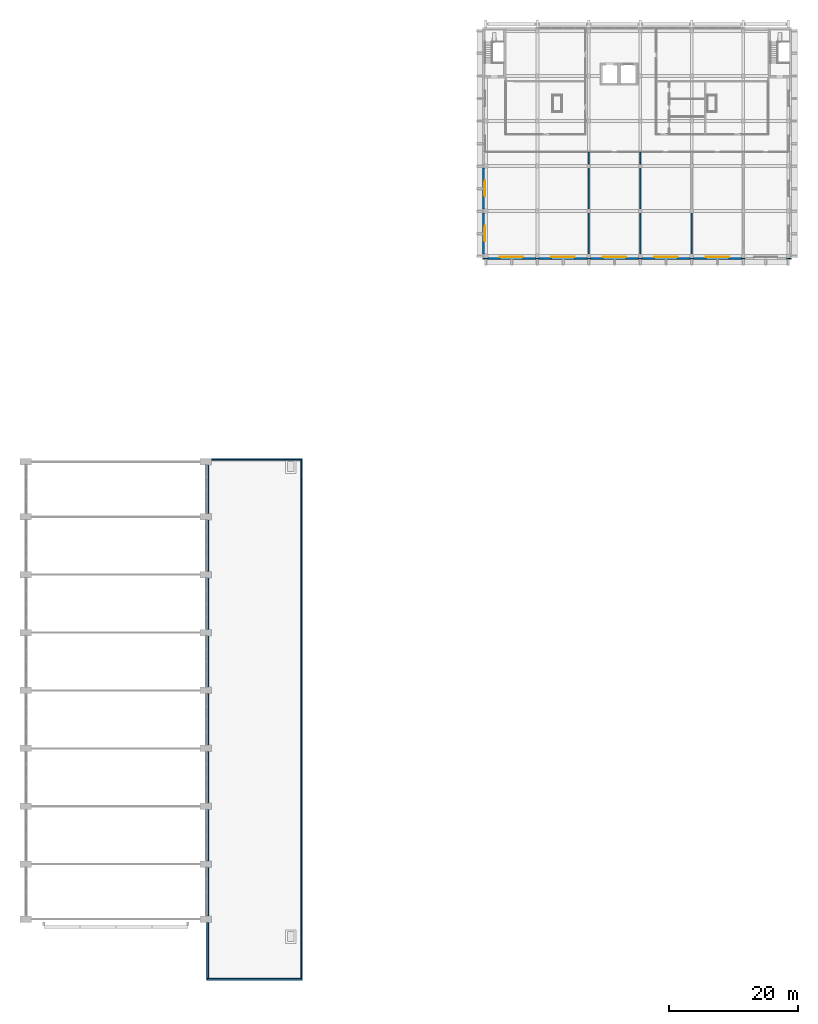
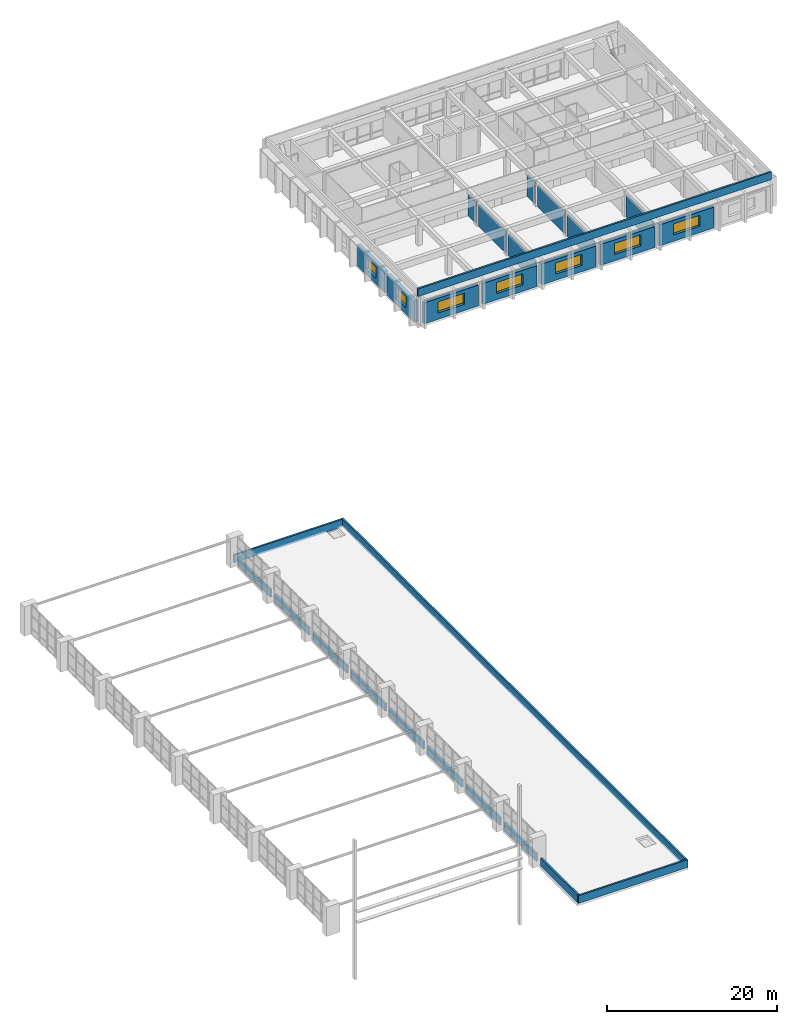
# One storey, part 16 of 21: 27 walls, 7 windows, 7 openings.
"""IFC4 building model written with IfcOpenShell, lengths in metres."""

import ifcopenshell
import ifcopenshell.guid

model = None  # the IFC model being written
_history = None  # IfcOwnerHistory: only IFC2X3 demands one
_inside = {}  # id of a spatial element -> (the spatial element, [elements in it])
_under = {}  # id of a project, library or spatial element -> (it, [spatial elements below it])
_declared = {}  # id of a project -> (the project, [libraries it declares])
_typed = {}  # id of a type object -> (the type object, [elements of that type])
_made_of = {}  # id of a material, layer set ... -> (it, [elements and type objects made of it])


def new_model(schema):
    """Start an empty IFC model of exactly this schema.

    Asked for "IFC4X3", IfcOpenShell would pick the latest addendum, in which some entities
    have other attributes; the version numbers below select the first issue.
    IFC2X3 requires an IfcOwnerHistory on every rooted entity: one is made here for all.
    """
    global model, _history
    if schema == "IFC4X3":
        model = ifcopenshell.file(schema_version=(4, 3, 0, 0))
    else:
        model = ifcopenshell.file(schema=schema)
    _inside.clear()
    _under.clear()
    _declared.clear()
    _typed.clear()
    _made_of.clear()
    _history = None
    if model.schema == "IFC2X3":
        org = make("IfcOrganization", Name="unknown")
        user = make(
            "IfcPersonAndOrganization",
            ThePerson=make("IfcPerson", FamilyName="unknown"),
            TheOrganization=org,
        )
        app = make(
            "IfcApplication",
            ApplicationDeveloper=org,
            Version="unknown",
            ApplicationFullName="unknown",
            ApplicationIdentifier="unknown",
        )
        _history = make(
            "IfcOwnerHistory",
            OwningUser=user,
            OwningApplication=app,
            ChangeAction="ADDED",
            CreationDate=0,
        )
    return model


def make(cls, **values):
    """One entity of the class cls with the attributes given. An attribute that is None is left unset."""
    return model.create_entity(
        cls, **{name: value for name, value in values.items() if value is not None}
    )


def rooted(cls, **values):
    """An entity with a GlobalId (a new one), such as an element, a storey or a relation."""
    return make(cls, GlobalId=ifcopenshell.guid.new(), OwnerHistory=_history, **values)


def si_unit(unit_type, name, prefix=None):
    """IfcSIUnit, for example si_unit("LENGTHUNIT", "METRE", prefix="MILLI")."""
    return make("IfcSIUnit", UnitType=unit_type, Prefix=prefix, Name=name)


def assignment(units):
    """IfcUnitAssignment: the units of a project."""
    return None if units is None else make("IfcUnitAssignment", Units=units)


def point(xyz):
    """IfcCartesianPoint."""
    return None if xyz is None else make("IfcCartesianPoint", Coordinates=xyz)


def direction(xyz):
    """IfcDirection."""
    return None if xyz is None else make("IfcDirection", DirectionRatios=xyz)


def frame(location, z_axis=None, x_axis=None):
    """IfcAxis2Placement3D, a coordinate frame: its origin and axes. An axis left out is left unset."""
    return make(
        "IfcAxis2Placement3D",
        Location=point(location),
        Axis=direction(z_axis),
        RefDirection=direction(x_axis),
    )


def frame_2d(location, x_axis=None):
    """IfcAxis2Placement2D, a coordinate frame in the plane: its origin and x axis."""
    return make(
        "IfcAxis2Placement2D", Location=point(location), RefDirection=direction(x_axis)
    )


def origin():
    """The frame at (0, 0, 0) with its axes left unset."""
    return frame((0.0, 0.0, 0.0))


def place(relative_to, where):
    """IfcLocalPlacement: puts the frame where relative to a parent placement (None: the world)."""
    return make(
        "IfcLocalPlacement", PlacementRelTo=relative_to, RelativePlacement=where
    )


def context(
    kind, dimensions, precision=None, world=None, true_north=None, identifier=None
):
    """IfcGeometricRepresentationContext, for example the 3D "Model" context."""
    return make(
        "IfcGeometricRepresentationContext",
        ContextIdentifier=identifier,
        ContextType=kind,
        CoordinateSpaceDimension=dimensions,
        Precision=precision,
        WorldCoordinateSystem=world,
        TrueNorth=true_north,
    )


def subcontext(parent, identifier, kind, view, scale=None):
    """IfcGeometricRepresentationSubContext, for example "Body" below "Model"."""
    return make(
        "IfcGeometricRepresentationSubContext",
        ContextIdentifier=identifier,
        ContextType=kind,
        ParentContext=parent,
        TargetScale=scale,
        TargetView=view,
    )


def project(units=None, contexts=None):
    """IfcProject with its units and contexts."""
    return rooted(
        "IfcProject",
        Name="project",
        RepresentationContexts=contexts,
        UnitsInContext=assignment(units),
    )


def spatial(cls, under=None, at=None, **own):
    """A site, building, storey or space (cls), placed at a placement, below another one or the project."""
    s = rooted(cls, ObjectPlacement=at, **own)
    if under is not None:
        _under.setdefault(under.id(), (under, []))[1].append(s)
    return s


def profile(cls, at=None, kind="AREA", **sizes):
    """A parametric profile (cls). Its sizes go by their IFC names, for example OverallWidth=200.0."""
    return make(cls, ProfileType=kind, Position=at, **sizes)


def rectangle(**sizes):
    """IfcRectangleProfileDef."""
    return profile("IfcRectangleProfileDef", **sizes)


def extrude(swept, where, along, depth):
    """IfcExtrudedAreaSolid: the profile swept, set in the frame where, extruded along a direction by depth."""
    return make(
        "IfcExtrudedAreaSolid",
        SweptArea=swept,
        Position=where,
        ExtrudedDirection=direction(along),
        Depth=depth,
    )


def shape(context_of_items, identifier, shape_type, items):
    """IfcShapeRepresentation: the items that make up one representation, for example the "Body"."""
    return make(
        "IfcShapeRepresentation",
        ContextOfItems=context_of_items,
        RepresentationIdentifier=identifier,
        RepresentationType=shape_type,
        Items=items,
    )


def material(Name=None, Category=None):
    """IfcMaterial."""
    return make("IfcMaterial", Name=Name, Category=Category)


def layer(
    of_material, thickness, ventilated=None, Name=None, Category=None, Priority=None
):
    """IfcMaterialLayer: one layer of a wall or slab, of a material (None: an air gap)."""
    return make(
        "IfcMaterialLayer",
        Material=of_material,
        LayerThickness=thickness,
        IsVentilated=ventilated,
        Name=Name,
        Category=Category,
        Priority=Priority,
    )


def layer_set(layers, Name=None):
    """IfcMaterialLayerSet."""
    return make("IfcMaterialLayerSet", MaterialLayers=layers, LayerSetName=Name)


def made_of(thing, what):
    """Note that an element or type object is made of a material, layer set ...; save() writes the relation."""
    if what is not None:
        _made_of.setdefault(what.id(), (what, []))[1].append(thing)
    return thing


def type_object(cls, material=None, **own):
    """A type object (cls), such as IfcWallType, which elements share."""
    return made_of(rooted(cls, **own), material)


def element(
    cls,
    number,
    at=None,
    inside=None,
    cuts=None,
    type_object=None,
    material=None,
    context=None,
    identifier="Body",
    shape_type=None,
    held_by="IfcProductDefinitionShape",
    body=None,
    shapes=None,
    **own,
):
    """One element of the class cls, such as IfcWall. Its Tag is "e" and its number.

    at: its placement. inside: the storey or other place that contains it. cuts: it is an
    opening in that element (IfcRelVoidsElement). A single representation is given by context,
    identifier, shape_type and body (its items); several are given by shapes. held_by: the class
    of the entity that holds the representations. save() writes the other relations.
    """
    e = rooted(cls, Tag="e%d" % number, ObjectPlacement=at, **own)
    if body is not None:
        shapes = [shape(context, identifier, shape_type, body)]
    if shapes is not None:
        e.Representation = make(held_by, Representations=shapes)
    if inside is not None:
        _inside.setdefault(inside.id(), (inside, []))[1].append(e)
    if cuts is not None:
        rooted(
            "IfcRelVoidsElement", RelatingBuildingElement=cuts, RelatedOpeningElement=e
        )
    if type_object is not None:
        _typed.setdefault(type_object.id(), (type_object, []))[1].append(e)
    return made_of(e, material)


def fill(opening, filler):
    """IfcRelFillsElement: the door or window that sits in an opening."""
    return rooted(
        "IfcRelFillsElement",
        RelatingOpeningElement=opening,
        RelatedBuildingElement=filler,
    )


def aggregate(whole, parts):
    """IfcRelAggregates: a whole, such as a stair, and the parts it consists of."""
    return rooted("IfcRelAggregates", RelatingObject=whole, RelatedObjects=parts)


def save(model, path):
    """Write the relations noted so far, then the file.

    IfcRelAggregates (storeys below a building ...), IfcRelContainedInSpatialStructure (elements
    in a storey), IfcRelDefinesByType, IfcRelAssociatesMaterial and IfcRelDeclares: one each for
    every whole, place, type object, material and project.
    """
    for whole, parts in _under.values():
        aggregate(whole, parts)
    for where, things in _inside.values():
        rooted(
            "IfcRelContainedInSpatialStructure",
            RelatedElements=things,
            RelatingStructure=where,
        )
    for kind, things in _typed.values():
        rooted("IfcRelDefinesByType", RelatedObjects=things, RelatingType=kind)
    for what, things in _made_of.values():
        rooted("IfcRelAssociatesMaterial", RelatedObjects=things, RelatingMaterial=what)
    for by, libraries in _declared.values():
        rooted("IfcRelDeclares", RelatingContext=by, RelatedDefinitions=libraries)
    model.write(path)


model = new_model("IFC4")

# Units and contexts
model_context = context("Model", 3, precision=1e-05, world=origin(), true_north=direction((0.0, 1.0)))
body_context = subcontext(model_context, "Body", "Model", "MODEL_VIEW")
ifc_project = project(units=[si_unit("LENGTHUNIT", "METRE"), si_unit("AREAUNIT", "SQUARE_METRE"), si_unit("VOLUMEUNIT", "CUBIC_METRE"), si_unit("PLANEANGLEUNIT", "RADIAN"), si_unit("MASSUNIT", "GRAM", prefix="KILO")], contexts=[model_context])

# Site, building, storey
site_placement = place(None, origin())
site = spatial("IfcSite", under=ifc_project, at=site_placement, CompositionType="ELEMENT")
building_placement = place(site_placement, origin())
building = spatial("IfcBuilding", under=site, at=building_placement, Name="Elmora Arch Market Hall", CompositionType="ELEMENT")
storey_placement = place(building_placement, frame((0.0, 0.0, 14.39990234375)))
storey = spatial("IfcBuildingStorey", under=building, at=storey_placement, Name="L03", CompositionType="ELEMENT", Elevation=14.39990234375)

# Wall, opening, window
ifc_material_1 = material(Name="Concrete C40/50", Category="concrete")
ifc_layer_1 = layer(ifc_material_1, 0.449951171875)
ifc_layer_set_1 = layer_set([ifc_layer_1], Name="Concrete C40/50")
wall_type_1 = type_object("IfcWallType", Name="Board-marked concrete wall 450", PredefinedType="SOLIDWALL", material=ifc_layer_set_1)
wall_1_placement = place(storey_placement, frame((94.199951171875, 130.22509765625, 0.0), z_axis=(0.0, 0.0, 1.0), x_axis=(-1.0, 0.0, 0.0)))
wall_1 = element("IfcWall", 1, at=wall_1_placement, inside=storey, type_object=wall_type_1, Name="School facade wall S L03 1", PredefinedType="SOLIDWALL", context=body_context, shape_type="SweptSolid", body=[
    extrude(rectangle(XDim=7.39990234375, YDim=0.449951171875, at=frame_2d((3.699951171875, 0.0))), origin(), (0.0, 0.0, 1.0), 3.0),
])
opening_1_placement = place(wall_1_placement, frame((1.89990234375, 0.0, 0.89990234375)))
opening_1 = element("IfcOpeningElement", 2, at=opening_1_placement, cuts=wall_1, Name="Opening WB1", PredefinedType="OPENING", context=body_context, shape_type="SweptSolid", body=[
    extrude(rectangle(XDim=3.60009765625, YDim=1.60009765625, at=frame_2d((1.800048828125, 0.800048828125))), frame((0.0, 0.23486328125, 0.0), z_axis=(0.0, -1.0, 0.0), x_axis=(1.0, 0.0, 0.0)), (0.0, 0.0, 1.0), 0.469970703125),
])
ifc_material_2 = material(Name="Aluminium", Category="aluminium")
window_type_1 = type_object("IfcWindowType", Name="School band window 3600x1600", PartitioningType="SINGLE_PANEL", PredefinedType="WINDOW", material=ifc_material_2)
window_1_placement = place(opening_1_placement, origin())
window_1 = element("IfcWindow", 3, at=window_1_placement, inside=storey, type_object=window_type_1, Name="Window WB1 L03 S115", OverallHeight=1.60009765625, OverallWidth=3.60009765625, PartitioningType="SINGLE_PANEL", PredefinedType="WINDOW", context=body_context, shape_type="SweptSolid", body=[
    extrude(rectangle(XDim=3.60009765625, YDim=1.60009765625, at=frame_2d((1.800048828125, 0.800048828125))), frame((0.0, -0.125, 0.0), z_axis=(0.0, -1.0, 0.0), x_axis=(1.0, 0.0, 0.0)), (0.0, 0.0, 1.0), 0.06005859375),
])
fill(opening_1, window_1)

wall_2_placement = place(storey_placement, frame((102.199951171875, 130.22509765625, 0.0), z_axis=(0.0, 0.0, 1.0), x_axis=(-1.0, 0.0, 0.0)))
wall_2 = element("IfcWall", 4, at=wall_2_placement, inside=storey, type_object=wall_type_1, Name="School facade wall S L03 2", PredefinedType="SOLIDWALL", context=body_context, shape_type="SweptSolid", body=[
    extrude(rectangle(XDim=7.39990234375, YDim=0.449951171875, at=frame_2d((3.699951171875, 0.0))), origin(), (0.0, 0.0, 1.0), 3.0),
])
opening_2_placement = place(wall_2_placement, frame((1.89990234375, 0.0, 0.89990234375)))
opening_2 = element("IfcOpeningElement", 5, at=opening_2_placement, cuts=wall_2, Name="Opening WB1", PredefinedType="OPENING", context=body_context, shape_type="SweptSolid", body=[
    extrude(rectangle(XDim=3.60009765625, YDim=1.60009765625, at=frame_2d((1.800048828125, 0.800048828125))), frame((0.0, 0.23486328125, 0.0), z_axis=(0.0, -1.0, 0.0), x_axis=(1.0, 0.0, 0.0)), (0.0, 0.0, 1.0), 0.469970703125),
])
window_2_placement = place(opening_2_placement, origin())
window_2 = element("IfcWindow", 6, at=window_2_placement, inside=storey, type_object=window_type_1, Name="Window WB1 L03 S116", OverallHeight=1.60009765625, OverallWidth=3.60009765625, PartitioningType="SINGLE_PANEL", PredefinedType="WINDOW", context=body_context, shape_type="SweptSolid", body=[
    extrude(rectangle(XDim=3.60009765625, YDim=1.60009765625, at=frame_2d((1.800048828125, 0.800048828125))), frame((0.0, -0.125, 0.0), z_axis=(0.0, -1.0, 0.0), x_axis=(1.0, 0.0, 0.0)), (0.0, 0.0, 1.0), 0.06005859375),
])
fill(opening_2, window_2)

wall_3_placement = place(storey_placement, frame((110.199951171875, 130.22509765625, 0.0), z_axis=(0.0, 0.0, 1.0), x_axis=(-1.0, 0.0, 0.0)))
wall_3 = element("IfcWall", 7, at=wall_3_placement, inside=storey, type_object=wall_type_1, Name="School facade wall S L03 3", PredefinedType="SOLIDWALL", context=body_context, shape_type="SweptSolid", body=[
    extrude(rectangle(XDim=7.39990234375, YDim=0.449951171875, at=frame_2d((3.699951171875, 0.0))), origin(), (0.0, 0.0, 1.0), 3.0),
])
opening_3_placement = place(wall_3_placement, frame((1.89990234375, 0.0, 0.89990234375)))
opening_3 = element("IfcOpeningElement", 8, at=opening_3_placement, cuts=wall_3, Name="Opening WB1", PredefinedType="OPENING", context=body_context, shape_type="SweptSolid", body=[
    extrude(rectangle(XDim=3.60009765625, YDim=1.60009765625, at=frame_2d((1.800048828125, 0.800048828125))), frame((0.0, 0.23486328125, 0.0), z_axis=(0.0, -1.0, 0.0), x_axis=(1.0, 0.0, 0.0)), (0.0, 0.0, 1.0), 0.469970703125),
])
window_3_placement = place(opening_3_placement, origin())
window_3 = element("IfcWindow", 9, at=window_3_placement, inside=storey, type_object=window_type_1, Name="Window WB1 L03 S117", OverallHeight=1.60009765625, OverallWidth=3.60009765625, PartitioningType="SINGLE_PANEL", PredefinedType="WINDOW", context=body_context, shape_type="SweptSolid", body=[
    extrude(rectangle(XDim=3.60009765625, YDim=1.60009765625, at=frame_2d((1.800048828125, 0.800048828125))), frame((0.0, -0.125, 0.0), z_axis=(0.0, -1.0, 0.0), x_axis=(1.0, 0.0, 0.0)), (0.0, 0.0, 1.0), 0.06005859375),
])
fill(opening_3, window_3)

wall_4_placement = place(storey_placement, frame((118.199951171875, 130.22509765625, 0.0), z_axis=(0.0, 0.0, 1.0), x_axis=(-1.0, 0.0, 0.0)))
wall_4 = element("IfcWall", 10, at=wall_4_placement, inside=storey, type_object=wall_type_1, Name="School facade wall S L03 4", PredefinedType="SOLIDWALL", context=body_context, shape_type="SweptSolid", body=[
    extrude(rectangle(XDim=7.39990234375, YDim=0.449951171875, at=frame_2d((3.699951171875, 0.0))), origin(), (0.0, 0.0, 1.0), 3.0),
])
opening_4_placement = place(wall_4_placement, frame((1.89990234375, 0.0, 0.89990234375)))
opening_4 = element("IfcOpeningElement", 11, at=opening_4_placement, cuts=wall_4, Name="Opening WB1", PredefinedType="OPENING", context=body_context, shape_type="SweptSolid", body=[
    extrude(rectangle(XDim=3.60009765625, YDim=1.60009765625, at=frame_2d((1.800048828125, 0.800048828125))), frame((0.0, 0.23486328125, 0.0), z_axis=(0.0, -1.0, 0.0), x_axis=(1.0, 0.0, 0.0)), (0.0, 0.0, 1.0), 0.469970703125),
])
window_4_placement = place(opening_4_placement, origin())
window_4 = element("IfcWindow", 12, at=window_4_placement, inside=storey, type_object=window_type_1, Name="Window WB1 L03 S118", OverallHeight=1.60009765625, OverallWidth=3.60009765625, PartitioningType="SINGLE_PANEL", PredefinedType="WINDOW", context=body_context, shape_type="SweptSolid", body=[
    extrude(rectangle(XDim=3.60009765625, YDim=1.60009765625, at=frame_2d((1.800048828125, 0.800048828125))), frame((0.0, -0.125, 0.0), z_axis=(0.0, -1.0, 0.0), x_axis=(1.0, 0.0, 0.0)), (0.0, 0.0, 1.0), 0.06005859375),
])
fill(opening_4, window_4)

wall_5_placement = place(storey_placement, frame((126.199951171875, 130.22509765625, 0.0), z_axis=(0.0, 0.0, 1.0), x_axis=(-1.0, 0.0, 0.0)))
wall_5 = element("IfcWall", 13, at=wall_5_placement, inside=storey, type_object=wall_type_1, Name="School facade wall S L03 5", PredefinedType="SOLIDWALL", context=body_context, shape_type="SweptSolid", body=[
    extrude(rectangle(XDim=7.39990234375, YDim=0.449951171875, at=frame_2d((3.699951171875, 0.0))), origin(), (0.0, 0.0, 1.0), 3.0),
])
opening_5_placement = place(wall_5_placement, frame((1.89990234375, 0.0, 0.89990234375)))
opening_5 = element("IfcOpeningElement", 14, at=opening_5_placement, cuts=wall_5, Name="Opening WB1", PredefinedType="OPENING", context=body_context, shape_type="SweptSolid", body=[
    extrude(rectangle(XDim=3.60009765625, YDim=1.60009765625, at=frame_2d((1.800048828125, 0.800048828125))), frame((0.0, 0.23486328125, 0.0), z_axis=(0.0, -1.0, 0.0), x_axis=(1.0, 0.0, 0.0)), (0.0, 0.0, 1.0), 0.469970703125),
])
window_5_placement = place(opening_5_placement, origin())
window_5 = element("IfcWindow", 15, at=window_5_placement, inside=storey, type_object=window_type_1, Name="Window WB1 L03 S119", OverallHeight=1.60009765625, OverallWidth=3.60009765625, PartitioningType="SINGLE_PANEL", PredefinedType="WINDOW", context=body_context, shape_type="SweptSolid", body=[
    extrude(rectangle(XDim=3.60009765625, YDim=1.60009765625, at=frame_2d((1.800048828125, 0.800048828125))), frame((0.0, -0.125, 0.0), z_axis=(0.0, -1.0, 0.0), x_axis=(1.0, 0.0, 0.0)), (0.0, 0.0, 1.0), 0.06005859375),
])
fill(opening_5, window_5)

wall_6_placement = place(storey_placement, frame((86.22509765625, 130.800048828125, 0.0), z_axis=(0.0, 0.0, 1.0), x_axis=(0.0, 1.0, 0.0)))
wall_6 = element("IfcWall", 16, at=wall_6_placement, inside=storey, type_object=wall_type_1, Name="School facade wall W L03 2", PredefinedType="SOLIDWALL", context=body_context, shape_type="SweptSolid", body=[
    extrude(rectangle(XDim=6.39990234375, YDim=0.449951171875, at=frame_2d((3.199951171875, 0.0))), origin(), (0.0, 0.0, 1.0), 3.10009765625),
])
opening_6_placement = place(wall_6_placement, frame((2.0, 0.0, 0.89990234375)))
opening_6 = element("IfcOpeningElement", 17, at=opening_6_placement, cuts=wall_6, Name="Opening WB2", PredefinedType="OPENING", context=body_context, shape_type="SweptSolid", body=[
    extrude(rectangle(XDim=2.39990234375, YDim=1.60009765625, at=frame_2d((1.199951171875, 0.800048828125))), frame((0.0, 0.23486328125, 0.0), z_axis=(0.0, -1.0, 0.0), x_axis=(1.0, 0.0, 0.0)), (0.0, 0.0, 1.0), 0.469970703125),
])
ifc_material_3 = material(Name="Aluminium", Category="aluminium")
window_type_2 = type_object("IfcWindowType", Name="School end band window 2400x1600", PartitioningType="SINGLE_PANEL", PredefinedType="WINDOW", material=ifc_material_3)
window_6_placement = place(opening_6_placement, origin())
window_6 = element("IfcWindow", 18, at=window_6_placement, inside=storey, type_object=window_type_2, Name="Window WB2 L03 W121", OverallHeight=1.60009765625, OverallWidth=2.39990234375, PartitioningType="SINGLE_PANEL", PredefinedType="WINDOW", context=body_context, shape_type="SweptSolid", body=[
    extrude(rectangle(XDim=2.39990234375, YDim=1.60009765625, at=frame_2d((1.199951171875, 0.800048828125))), frame((0.0, -0.125, 0.0), z_axis=(0.0, -1.0, 0.0), x_axis=(1.0, 0.0, 0.0)), (0.0, 0.0, 1.0), 0.06005859375),
])
fill(opening_6, window_6)

wall_7_placement = place(storey_placement, frame((86.22509765625, 137.800048828125, 0.0), z_axis=(0.0, 0.0, 1.0), x_axis=(0.0, 1.0, 0.0)))
wall_7 = element("IfcWall", 19, at=wall_7_placement, inside=storey, type_object=wall_type_1, Name="School facade wall W L03 3", PredefinedType="SOLIDWALL", context=body_context, shape_type="SweptSolid", body=[
    extrude(rectangle(XDim=6.39990234375, YDim=0.449951171875, at=frame_2d((3.199951171875, 0.0))), origin(), (0.0, 0.0, 1.0), 3.10009765625),
])
opening_7_placement = place(wall_7_placement, frame((2.0, 0.0, 0.89990234375)))
opening_7 = element("IfcOpeningElement", 20, at=opening_7_placement, cuts=wall_7, Name="Opening WB2", PredefinedType="OPENING", context=body_context, shape_type="SweptSolid", body=[
    extrude(rectangle(XDim=2.39990234375, YDim=1.60009765625, at=frame_2d((1.199951171875, 0.800048828125))), frame((0.0, 0.23486328125, 0.0), z_axis=(0.0, -1.0, 0.0), x_axis=(1.0, 0.0, 0.0)), (0.0, 0.0, 1.0), 0.469970703125),
])
window_7_placement = place(opening_7_placement, origin())
window_7 = element("IfcWindow", 21, at=window_7_placement, inside=storey, type_object=window_type_2, Name="Window WB2 L03 W122", OverallHeight=1.60009765625, OverallWidth=2.39990234375, PartitioningType="SINGLE_PANEL", PredefinedType="WINDOW", context=body_context, shape_type="SweptSolid", body=[
    extrude(rectangle(XDim=2.39990234375, YDim=1.60009765625, at=frame_2d((1.199951171875, 0.800048828125))), frame((0.0, -0.125, 0.0), z_axis=(0.0, -1.0, 0.0), x_axis=(1.0, 0.0, 0.0)), (0.0, 0.0, 1.0), 0.06005859375),
])
fill(opening_7, window_7)

# Walls
ifc_material_4 = material(Name="Concrete C40/50", Category="concrete")
ifc_layer_2 = layer(ifc_material_4, 0.25)
ifc_layer_set_2 = layer_set([ifc_layer_2], Name="Concrete C40/50")
wall_type_2 = type_object("IfcWallType", Name="Concrete parapet 250", PredefinedType="PARAPET", material=ifc_layer_set_2)
wall_8_placement = place(storey_placement, frame((58.0, 18.125, 0.0), z_axis=(0.0, 0.0, 1.0), x_axis=(-1.0, 0.0, 0.0)))
element("IfcWall", 22, at=wall_8_placement, inside=storey, type_object=wall_type_2, Name="Planted roof parapet south E", PredefinedType="PARAPET", context=body_context, shape_type="SweptSolid", body=[
    extrude(rectangle(XDim=14.85009765625, YDim=0.25, at=frame_2d((7.425048828125, 0.0))), origin(), (0.0, 0.0, 1.0), 1.10009765625),
])
wall_9_placement = place(storey_placement, frame((57.875, 99.0, 0.0), z_axis=(0.0, 0.0, 1.0), x_axis=(0.0, -1.0, 0.0)))
element("IfcWall", 23, at=wall_9_placement, inside=storey, type_object=wall_type_2, Name="Planted roof parapet east", PredefinedType="PARAPET", context=body_context, shape_type="SweptSolid", body=[
    extrude(rectangle(XDim=80.75, YDim=0.25, at=frame_2d((40.375, 0.0))), origin(), (0.0, 0.0, 1.0), 1.10009765625),
])
wall_10_placement = place(storey_placement, frame((43.0, 98.875, 0.0), z_axis=(0.0, 0.0, 1.0), x_axis=(1.0, 0.0, 0.0)))
element("IfcWall", 24, at=wall_10_placement, inside=storey, type_object=wall_type_2, Name="Planted roof parapet north E", PredefinedType="PARAPET", context=body_context, shape_type="SweptSolid", body=[
    extrude(rectangle(XDim=14.75, YDim=0.25, at=frame_2d((7.375, 0.0))), origin(), (0.0, 0.0, 1.0), 1.10009765625),
])
wall_11_placement = place(storey_placement, frame((43.27490234375, 18.25, 0.0), z_axis=(0.0, 0.0, 1.0), x_axis=(0.0, 1.0, 0.0)))
element("IfcWall", 25, at=wall_11_placement, inside=storey, type_object=wall_type_2, Name="Planted roof upstand hall side 1", PredefinedType="PARAPET", context=body_context, shape_type="SweptSolid", body=[
    extrude(rectangle(XDim=8.699951171875, YDim=0.25, at=frame_2d((4.35009765625, 0.0))), origin(), (0.0, 0.0, 1.0), 1.10009765625),
])
wall_12_placement = place(storey_placement, frame((43.27490234375, 27.949951171875, 0.0), z_axis=(0.0, 0.0, 1.0), x_axis=(0.0, 1.0, 0.0)))
element("IfcWall", 26, at=wall_12_placement, inside=storey, type_object=wall_type_2, Name="Planted roof upstand hall side 2", PredefinedType="PARAPET", context=body_context, shape_type="SweptSolid", body=[
    extrude(rectangle(XDim=7.550048828125, YDim=0.25, at=frame_2d((3.77490234375, 0.0))), origin(), (0.0, 0.0, 1.0), 1.10009765625),
])
for number, where, z_axis, x_axis, name in (
    (27, (43.27490234375, 36.5, 0.0), (0.0, 0.0, 1.0), (0.0, 1.0, 0.0), "Planted roof upstand hall side 3"),
    (28, (43.27490234375, 45.5, 0.0), (0.0, 0.0, 1.0), (0.0, 1.0, 0.0), "Planted roof upstand hall side 4"),
    (29, (43.27490234375, 54.5, 0.0), (0.0, 0.0, 1.0), (0.0, 1.0, 0.0), "Planted roof upstand hall side 5"),
    (30, (43.27490234375, 63.5, 0.0), (0.0, 0.0, 1.0), (0.0, 1.0, 0.0), "Planted roof upstand hall side 6"),
    (31, (43.27490234375, 72.5, 0.0), (0.0, 0.0, 1.0), (0.0, 1.0, 0.0), "Planted roof upstand hall side 7"),
    (32, (43.27490234375, 81.5, 0.0), (0.0, 0.0, 1.0), (0.0, 1.0, 0.0), "Planted roof upstand hall side 8"),
):
    element("IfcWall", number, at=place(storey_placement, frame(where, z_axis=z_axis, x_axis=x_axis)), inside=storey, type_object=wall_type_2, Name=name, PredefinedType="PARAPET", context=body_context, shape_type="SweptSolid", body=[
        extrude(rectangle(XDim=8.0, YDim=0.25, at=frame_2d((4.0, 0.0))), origin(), (0.0, 0.0, 1.0), 1.10009765625),
    ])
wall_13_placement = place(storey_placement, frame((43.27490234375, 90.5, 0.0), z_axis=(0.0, 0.0, 1.0), x_axis=(0.0, 1.0, 0.0)))
element("IfcWall", 33, at=wall_13_placement, inside=storey, type_object=wall_type_2, Name="Planted roof upstand hall side 9", PredefinedType="PARAPET", context=body_context, shape_type="SweptSolid", body=[
    extrude(rectangle(XDim=7.550048828125, YDim=0.25, at=frame_2d((3.77490234375, 0.0))), origin(), (0.0, 0.0, 1.0), 1.10009765625),
])
wall_14_placement = place(storey_placement, frame((134.0, 130.125, 4.2001953125), z_axis=(0.0, 0.0, 1.0), x_axis=(-1.0, 0.0, 0.0)))
element("IfcWall", 34, at=wall_14_placement, inside=storey, type_object=wall_type_2, Name="Planted roof parapet south school", PredefinedType="PARAPET", context=body_context, shape_type="SweptSolid", body=[
    extrude(rectangle(XDim=48.0, YDim=0.25, at=frame_2d((24.0, 0.0))), origin(), (0.0, 0.0, 1.0), 1.099853515625),
])
ifc_material_5 = material(Name="Gypsum board on metal studs")
ifc_layer_3 = layer(ifc_material_5, 0.175048828125)
ifc_layer_set_3 = layer_set([ifc_layer_3], Name="Gypsum board on metal studs")
wall_type_3 = type_object("IfcWallType", Name="Partition 175 EI 60", PredefinedType="PARTITIONING", material=ifc_layer_set_3)
for number, where, z_axis, x_axis, name in (
    (35, (102.5, 130.800048828125, 0.0), (0.0, 0.0, 1.0), (0.0, 1.0, 0.0), "Partition PT-L03-020-20"),
    (36, (102.5, 137.800048828125, 0.0), (0.0, 0.0, 1.0), (0.0, 1.0, 0.0), "Partition PT-L03-020-21"),
):
    element("IfcWall", number, at=place(storey_placement, frame(where, z_axis=z_axis, x_axis=x_axis)), inside=storey, type_object=wall_type_3, Name=name, PredefinedType="PARTITIONING", context=body_context, shape_type="SweptSolid", body=[
        extrude(rectangle(XDim=6.39990234375, YDim=0.175048828125, at=frame_2d((3.199951171875, 0.0))), origin(), (0.0, 0.0, 1.0), 3.10009765625),
    ])
wall_15_placement = place(storey_placement, frame((102.5, 144.800048828125, 0.0), z_axis=(0.0, 0.0, 1.0), x_axis=(0.0, 1.0, 0.0)))
element("IfcWall", 37, at=wall_15_placement, inside=storey, type_object=wall_type_3, Name="Partition PT-L03-020-22", PredefinedType="PARTITIONING", context=body_context, shape_type="SweptSolid", body=[
    extrude(rectangle(XDim=1.83740234375, YDim=0.175048828125, at=frame_2d((0.918701171875, 0.0))), origin(), (0.0, 0.0, 1.0), 3.10009765625),
])
for number, where, z_axis, x_axis, name in (
    (38, (110.5, 130.800048828125, 0.0), (0.0, 0.0, 1.0), (0.0, 1.0, 0.0), "Partition PT-L03-021-23"),
    (39, (110.5, 137.800048828125, 0.0), (0.0, 0.0, 1.0), (0.0, 1.0, 0.0), "Partition PT-L03-021-24"),
):
    element("IfcWall", number, at=place(storey_placement, frame(where, z_axis=z_axis, x_axis=x_axis)), inside=storey, type_object=wall_type_3, Name=name, PredefinedType="PARTITIONING", context=body_context, shape_type="SweptSolid", body=[
        extrude(rectangle(XDim=6.39990234375, YDim=0.175048828125, at=frame_2d((3.199951171875, 0.0))), origin(), (0.0, 0.0, 1.0), 3.10009765625),
    ])
wall_16_placement = place(storey_placement, frame((110.5, 144.800048828125, 0.0), z_axis=(0.0, 0.0, 1.0), x_axis=(0.0, 1.0, 0.0)))
element("IfcWall", 40, at=wall_16_placement, inside=storey, type_object=wall_type_3, Name="Partition PT-L03-021-25", PredefinedType="PARTITIONING", context=body_context, shape_type="SweptSolid", body=[
    extrude(rectangle(XDim=1.83740234375, YDim=0.175048828125, at=frame_2d((0.918701171875, 0.0))), origin(), (0.0, 0.0, 1.0), 3.10009765625),
])
wall_17_placement = place(storey_placement, frame((118.5, 130.800048828125, 0.0), z_axis=(0.0, 0.0, 1.0), x_axis=(0.0, 1.0, 0.0)))
element("IfcWall", 41, at=wall_17_placement, inside=storey, type_object=wall_type_3, Name="Partition PT-L03-027-31", PredefinedType="PARTITIONING", context=body_context, shape_type="SweptSolid", body=[
    extrude(rectangle(XDim=6.39990234375, YDim=0.175048828125, at=frame_2d((3.199951171875, 0.0))), origin(), (0.0, 0.0, 1.0), 3.10009765625),
])

save(model, "model.ifc")
